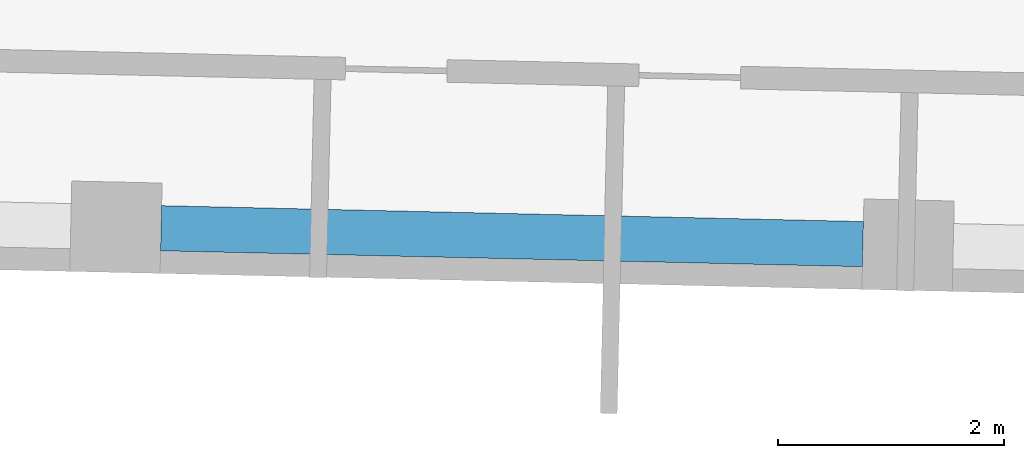
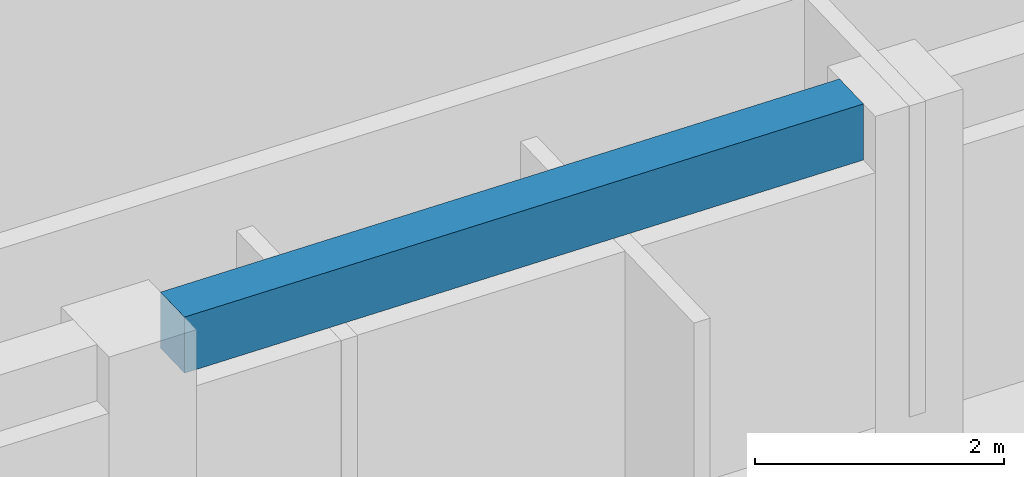
# One storey, part 3 of 12: 1 beam.
"""IFC4 building model written with IfcOpenShell, lengths in metres."""

from ifc_helpers import new_model, si_unit, direction, frame, origin, origin_2d, place, context, subcontext, project, spatial, rectangle, extrude, material, material_profile, profile_set, type_object, element, save


model = new_model("IFC4")

# Units and contexts
model_context = context("Model", 3, precision=1e-05, world=origin(), true_north=direction((0.0, 1.0)))
body_context = subcontext(model_context, "Body", "Model", "MODEL_VIEW")
ifc_project = project(units=[si_unit("LENGTHUNIT", "METRE"), si_unit("AREAUNIT", "SQUARE_METRE"), si_unit("VOLUMEUNIT", "CUBIC_METRE"), si_unit("PLANEANGLEUNIT", "RADIAN"), si_unit("MASSUNIT", "GRAM", prefix="KILO")], contexts=[model_context])

# Site, building, storey
site_placement = place(None, origin())
site = spatial("IfcSite", under=ifc_project, at=site_placement, CompositionType="ELEMENT")
building_placement = place(site_placement, origin())
building = spatial("IfcBuilding", under=site, at=building_placement, Name="Mangrove Gate Tower", CompositionType="ELEMENT")
storey_placement = place(building_placement, frame((0.0, 0.0, 350.699951171875)))
storey = spatial("IfcBuildingStorey", under=building, at=storey_placement, Name="L89", CompositionType="ELEMENT", Elevation=350.699951171875)

# Beam
ifc_material = material(Name="Concrete C50/60", Category="concrete")
ifc_material_profile = material_profile(ifc_material, rectangle(XDim=0.39990234375, YDim=0.550048828125, at=origin_2d()))
ifc_profile_set = profile_set([ifc_material_profile], Name="Concrete C50/60")
beam_type = type_object("IfcBeamType", Name="Edge beam RC 400x550 C50/60", PredefinedType="BEAM", material=ifc_profile_set)
beam_placement = place(storey_placement, frame((2.260986328125, -15.542236328125, 2.775146484375), z_axis=(0.999743232595, -0.022659851719, 0.0), x_axis=(0.022659851719, 0.999743232595, 0.0)))
element("IfcBeam", 1, at=beam_placement, inside=storey, type_object=beam_type, Name="Edge beam L89 06", PredefinedType="BEAM", context=body_context, shape_type="SweptSolid", body=[
    extrude(rectangle(XDim=0.39990234375, YDim=0.550048828125, at=origin_2d()), origin(), (0.0, 0.0, 1.0), 6.216796875),
])

save(model, "model.ifc")
